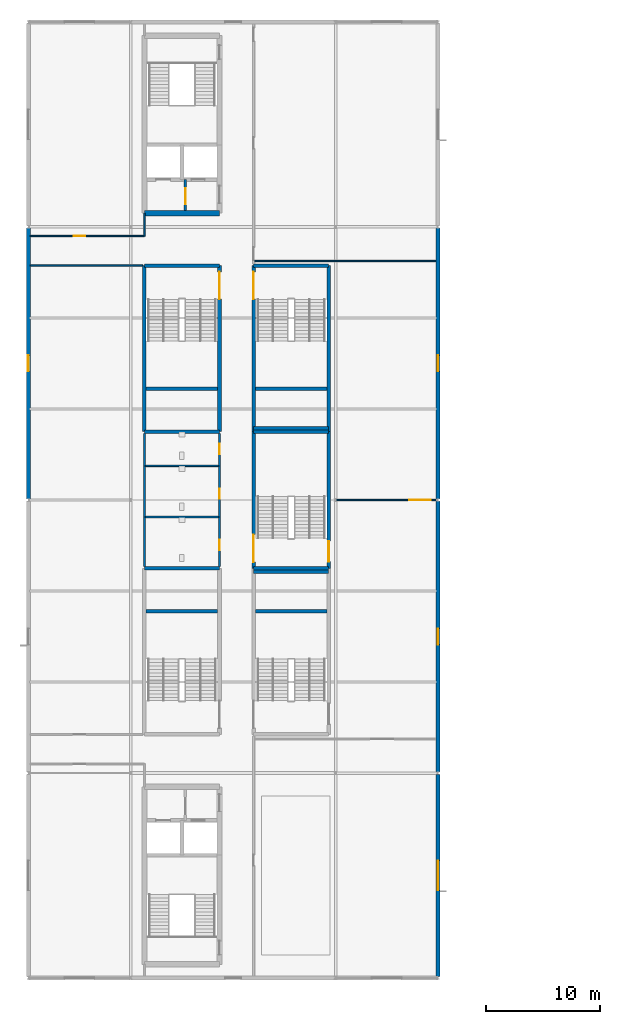
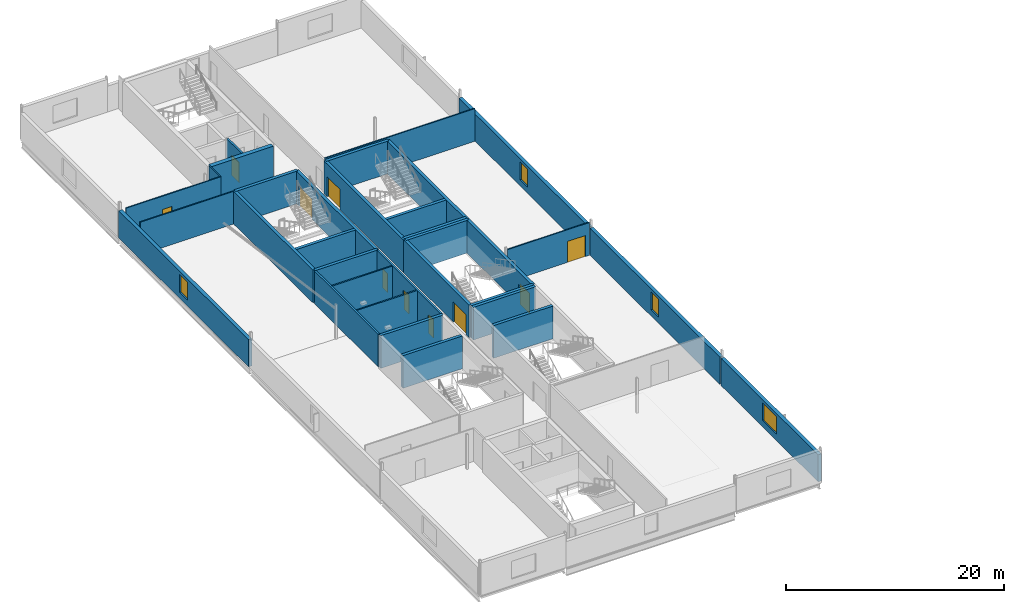
# One storey, part 20 of 35: 33 walls, 10 doors, 4 windows, 14 openings.
"""IFC4 building model written with IfcOpenShell, lengths in metres."""

from ifc_helpers import new_model, si_unit, direction, frame, frame_2d, origin, place, context, subcontext, project, spatial, rectangle, extrude, material, layer, layer_set, type_object, element, fill, save


model = new_model("IFC4")

# Units and contexts
model_context = context("Model", 3, precision=1e-05, world=origin(), true_north=direction((0.0, 1.0)))
body_context = subcontext(model_context, "Body", "Model", "MODEL_VIEW")
ifc_project = project(units=[si_unit("LENGTHUNIT", "METRE"), si_unit("AREAUNIT", "SQUARE_METRE"), si_unit("VOLUMEUNIT", "CUBIC_METRE"), si_unit("PLANEANGLEUNIT", "RADIAN"), si_unit("MASSUNIT", "GRAM", prefix="KILO")], contexts=[model_context])

# Site, building, storey
site_placement = place(None, origin())
site = spatial("IfcSite", under=ifc_project, at=site_placement, CompositionType="ELEMENT")
building_placement = place(site_placement, origin())
building = spatial("IfcBuilding", under=site, at=building_placement, Name="Kisiwana Market Hall", CompositionType="ELEMENT")
storey_placement = place(building_placement, frame((0.0, 0.0, 61.800048828125)))
storey = spatial("IfcBuildingStorey", under=building, at=storey_placement, Name="L14", CompositionType="ELEMENT", Elevation=61.800048828125)

# Wall, opening, door
ifc_material_1 = material(Name="Masonry blockwork", Category="masonry")
ifc_layer_1 = layer(ifc_material_1, 0.199951171875, Name="Plastered fire compartment block wall")
ifc_layer_set_1 = layer_set([ifc_layer_1], Name="WL-COMP-200")
wall_type_1 = type_object("IfcWallType", Name="WL-COMP-200", PredefinedType="PARTITIONING", material=ifc_layer_set_1)
wall_1_placement = place(storey_placement, frame((13.800048828125, 85.425048828125, 0.0), z_axis=(0.0, 0.0, 1.0), x_axis=(0.0, 1.0, 0.0)))
wall_1 = element("IfcWall", 1, at=wall_1_placement, inside=storey, type_object=wall_type_1, Name="Core W1 firefighting lobby wall W-3312", PredefinedType="PARTITIONING", context=body_context, shape_type="SweptSolid", body=[
    extrude(rectangle(XDim=2.72998046875, YDim=0.199951171875, at=frame_2d((1.364990234375, 0.0))), origin(), (0.0, 0.0, 1.0), 3.655029296875),
])
opening_1_placement = place(wall_1_placement, frame((0.550048828125, 0.0, 0.0)))
opening_1 = element("IfcOpeningElement", 2, at=opening_1_placement, cuts=wall_1, Name="Opening DR-L14-006", PredefinedType="OPENING", context=body_context, shape_type="SweptSolid", body=[
    extrude(rectangle(XDim=1.39990234375, YDim=2.25, at=frame_2d((0.699951171875, 1.125))), frame((0.0, 0.11181640625, 0.0), z_axis=(0.0, -1.0, 0.0), x_axis=(1.0, 0.0, 0.0)), (0.0, 0.0, 1.0), 0.223876953125),
])
ifc_material_2 = material(Name="Steel S275", Category="steel")
door_type_1 = type_object("IfcDoorType", Name="DR-FFLOB-FD120-1400", OperationType="DOUBLE_DOOR_SINGLE_SWING", PredefinedType="DOOR", material=ifc_material_2)
door_1_placement = place(opening_1_placement, frame((1.39990234375, 0.0, 0.0), z_axis=(0.0, 0.0, 1.0), x_axis=(-1.0, 0.0, 0.0)))
door_1 = element("IfcDoor", 3, at=door_1_placement, inside=storey, type_object=door_type_1, Name="Firefighting Lift Lobby W1 Door (L14)", OperationType="DOUBLE_DOOR_SINGLE_SWING", OverallHeight=2.25, OverallWidth=1.39990234375, PredefinedType="DOOR", context=body_context, shape_type="SweptSolid", body=[
    extrude(rectangle(XDim=1.39990234375, YDim=2.25, at=frame_2d((0.699951171875, 1.125))), frame((0.0, 0.02490234375, 0.0), z_axis=(0.0, -1.0, 0.0), x_axis=(1.0, 0.0, 0.0)), (0.0, 0.0, 1.0), 0.050048828125),
])
fill(opening_1, door_1)

# Wall
wall_2_placement = place(storey_placement, frame((10.199951171875, 54.159912109375, 0.0), z_axis=(0.0, 0.0, 1.0), x_axis=(0.0, 1.0, 0.0)))
element("IfcWall", 4, at=wall_2_placement, inside=storey, type_object=wall_type_1, Name="Interior partition W-3315", PredefinedType="PARTITIONING", context=body_context, shape_type="SweptSolid", body=[
    extrude(rectangle(XDim=11.68017578125, YDim=0.199951171875, at=frame_2d((5.840087890625, 0.0))), origin(), (0.0, 0.0, 1.0), 3.655029296875),
])

# Wall, openings, doors
wall_3_placement = place(storey_placement, frame((16.800048828125, 54.159912109375, 0.0), z_axis=(0.0, 0.0, 1.0), x_axis=(0.0, 1.0, 0.0)))
wall_3 = element("IfcWall", 5, at=wall_3_placement, inside=storey, type_object=wall_type_1, Name="Interior partition W-3316", PredefinedType="PARTITIONING", context=body_context, shape_type="SweptSolid", body=[
    extrude(rectangle(XDim=11.68017578125, YDim=0.199951171875, at=frame_2d((5.840087890625, 0.0))), origin(), (0.0, 0.0, 1.0), 3.655029296875),
])
opening_2_placement = place(wall_3_placement, frame((1.43994140625, 0.0, 0.0)))
opening_2 = element("IfcOpeningElement", 6, at=opening_2_placement, cuts=wall_3, Name="Opening DR-L14-027", PredefinedType="OPENING", context=body_context, shape_type="SweptSolid", body=[
    extrude(rectangle(XDim=0.89990234375, YDim=2.10009765625, at=frame_2d((0.449951171875, 1.050048828125))), frame((0.0, 0.11181640625, 0.0), z_axis=(0.0, -1.0, 0.0), x_axis=(1.0, 0.0, 0.0)), (0.0, 0.0, 1.0), 0.223876953125),
])
opening_3_placement = place(wall_3_placement, frame((5.93994140625, 0.0, 0.0)))
opening_3 = element("IfcOpeningElement", 7, at=opening_3_placement, cuts=wall_3, Name="Opening DR-L14-028", PredefinedType="OPENING", context=body_context, shape_type="SweptSolid", body=[
    extrude(rectangle(XDim=0.89990234375, YDim=2.10009765625, at=frame_2d((0.449951171875, 1.050048828125))), frame((0.0, 0.11181640625, 0.0), z_axis=(0.0, -1.0, 0.0), x_axis=(1.0, 0.0, 0.0)), (0.0, 0.0, 1.0), 0.223876953125),
])
opening_4_placement = place(wall_3_placement, frame((9.840087890625, 0.0, 0.0)))
opening_4 = element("IfcOpeningElement", 8, at=opening_4_placement, cuts=wall_3, Name="Opening DR-L14-029", PredefinedType="OPENING", context=body_context, shape_type="SweptSolid", body=[
    extrude(rectangle(XDim=0.949951171875, YDim=2.10009765625, at=frame_2d((0.47509765625, 1.050048828125))), frame((0.0, 0.11181640625, 0.0), z_axis=(0.0, -1.0, 0.0), x_axis=(1.0, 0.0, 0.0)), (0.0, 0.0, 1.0), 0.223876953125),
])
ifc_material_3 = material(Name="Aluminium alloy 6063-T6", Category="aluminium")
door_type_2 = type_object("IfcDoorType", Name="DR-WC-ACC-950", OperationType="NOTDEFINED", PredefinedType="DOOR", material=ifc_material_3)
door_2_placement = place(opening_4_placement, origin())
door_2 = element("IfcDoor", 9, at=door_2_placement, inside=storey, type_object=door_type_2, Name="L14 W Accessible WC Door", OperationType="SINGLE_SWING_RIGHT", OverallHeight=2.10009765625, OverallWidth=0.949951171875, PredefinedType="DOOR", context=body_context, shape_type="SweptSolid", body=[
    extrude(rectangle(XDim=0.949951171875, YDim=2.10009765625, at=frame_2d((0.47509765625, 1.050048828125))), frame((0.0, 0.02490234375, 0.0), z_axis=(0.0, -1.0, 0.0), x_axis=(1.0, 0.0, 0.0)), (0.0, 0.0, 1.0), 0.050048828125),
])
fill(opening_4, door_2)
ifc_material_4 = material(Name="Aluminium alloy 6063-T6", Category="aluminium")
door_type_3 = type_object("IfcDoorType", Name="DR-WC-STD-900", OperationType="NOTDEFINED", PredefinedType="DOOR", material=ifc_material_4)
door_3_placement = place(opening_2_placement, origin())
door_3 = element("IfcDoor", 10, at=door_3_placement, inside=storey, type_object=door_type_3, Name="L14 W Male Toilet Door", OperationType="SINGLE_SWING_LEFT", OverallHeight=2.10009765625, OverallWidth=0.89990234375, PredefinedType="DOOR", context=body_context, shape_type="SweptSolid", body=[
    extrude(rectangle(XDim=0.89990234375, YDim=2.10009765625, at=frame_2d((0.449951171875, 1.050048828125))), frame((0.0, 0.02490234375, 0.0), z_axis=(0.0, -1.0, 0.0), x_axis=(1.0, 0.0, 0.0)), (0.0, 0.0, 1.0), 0.050048828125),
])
fill(opening_2, door_3)
door_4_placement = place(opening_3_placement, origin())
door_4 = element("IfcDoor", 11, at=door_4_placement, inside=storey, type_object=door_type_3, Name="L14 W Female Toilet Door", OperationType="SINGLE_SWING_RIGHT", OverallHeight=2.10009765625, OverallWidth=0.89990234375, PredefinedType="DOOR", context=body_context, shape_type="SweptSolid", body=[
    extrude(rectangle(XDim=0.89990234375, YDim=2.10009765625, at=frame_2d((0.449951171875, 1.050048828125))), frame((0.0, 0.02490234375, 0.0), z_axis=(0.0, -1.0, 0.0), x_axis=(1.0, 0.0, 0.0)), (0.0, 0.0, 1.0), 0.050048828125),
])
fill(opening_3, door_4)

# Walls
ifc_material_5 = material(Name="Concrete C40/50", Category="concrete")
ifc_layer_2 = layer(ifc_material_5, 0.320068359375, Name="Reinforced concrete shaft wall")
ifc_layer_set_2 = layer_set([ifc_layer_2], Name="WL-CORE-320")
wall_type_2 = type_object("IfcWallType", Name="WL-CORE-320", PredefinedType="SHEAR", material=ifc_layer_set_2)
wall_4_placement = place(storey_placement, frame((10.199951171875, 54.0, 0.0), z_axis=(0.0, 0.0, 1.0), x_axis=(1.0, 0.0, 0.0)))
element("IfcWall", 12, at=wall_4_placement, inside=storey, type_object=wall_type_2, Name="Core W3 north shear wall W-3236", PredefinedType="SHEAR", context=body_context, shape_type="SweptSolid", body=[
    extrude(rectangle(XDim=6.60009765625, YDim=0.320068359375, at=frame_2d((3.300048828125, 0.0))), origin(), (0.0, 0.0, 1.0), 3.655029296875),
])
wall_5_placement = place(storey_placement, frame((10.360107421875, 50.219970703125, 0.0), z_axis=(0.0, 0.0, 1.0), x_axis=(1.0, 0.0, 0.0)))
element("IfcWall", 13, at=wall_5_placement, inside=storey, type_object=wall_type_2, Name="Core W3 riser divider shear wall W-3239", PredefinedType="SHEAR", context=body_context, shape_type="SweptSolid", body=[
    extrude(rectangle(XDim=6.27978515625, YDim=0.320068359375, at=frame_2d((3.139892578125, 0.0))), origin(), (0.0, 0.0, 1.0), 3.655029296875),
])
for number, where, z_axis, x_axis, name in (
    (14, (10.199951171875, 66.0, 0.0), (0.0, 0.0, 1.0), (1.0, 0.0, 0.0), "Core W4 south shear wall W-3240"),
    (15, (10.199951171875, 80.60009765625, 0.0), (0.0, 0.0, 1.0), (1.0, 0.0, 0.0), "Core W4 north shear wall W-3241"),
):
    element("IfcWall", number, at=place(storey_placement, frame(where, z_axis=z_axis, x_axis=x_axis)), inside=storey, type_object=wall_type_2, Name=name, PredefinedType="SHEAR", context=body_context, shape_type="SweptSolid", body=[
        extrude(rectangle(XDim=6.60009765625, YDim=0.320068359375, at=frame_2d((3.300048828125, 0.0))), origin(), (0.0, 0.0, 1.0), 3.655029296875),
    ])
wall_6_placement = place(storey_placement, frame((10.199951171875, 66.0, 0.0), z_axis=(0.0, 0.0, 1.0), x_axis=(0.0, 1.0, 0.0)))
element("IfcWall", 16, at=wall_6_placement, inside=storey, type_object=wall_type_2, Name="Core W4 outer shear wall W-3242", PredefinedType="SHEAR", context=body_context, shape_type="SweptSolid", body=[
    extrude(rectangle(XDim=14.60009765625, YDim=0.320068359375, at=frame_2d((7.300048828125, 0.0))), origin(), (0.0, 0.0, 1.0), 3.655029296875),
])

# Wall, opening, door
wall_7_placement = place(storey_placement, frame((16.800048828125, 66.0, 0.0), z_axis=(0.0, 0.0, 1.0), x_axis=(0.0, 1.0, 0.0)))
wall_7 = element("IfcWall", 17, at=wall_7_placement, inside=storey, type_object=wall_type_2, Name="Core W4 corridor shear wall W-3243", PredefinedType="SHEAR", context=body_context, shape_type="SweptSolid", body=[
    extrude(rectangle(XDim=14.60009765625, YDim=0.320068359375, at=frame_2d((7.300048828125, 0.0))), origin(), (0.0, 0.0, 1.0), 3.655029296875),
])
opening_5_placement = place(wall_7_placement, frame((11.64990234375, 0.0, 0.0)))
opening_5 = element("IfcOpeningElement", 18, at=opening_5_placement, cuts=wall_7, Name="Opening DR-L14-014", PredefinedType="OPENING", context=body_context, shape_type="SweptSolid", body=[
    extrude(rectangle(XDim=2.39990234375, YDim=2.25, at=frame_2d((1.199951171875, 1.125))), frame((0.0, 0.171875, 0.0), z_axis=(0.0, -1.0, 0.0), x_axis=(1.0, 0.0, 0.0)), (0.0, 0.0, 1.0), 0.343994140625),
])
ifc_material_6 = material(Name="Steel S275", Category="steel")
door_type_4 = type_object("IfcDoorType", Name="DR-STAIR-FD120-2400", OperationType="DOUBLE_DOOR_SINGLE_SWING", PredefinedType="DOOR", material=ifc_material_6)
door_5_placement = place(opening_5_placement, origin())
door_5 = element("IfcDoor", 19, at=door_5_placement, inside=storey, type_object=door_type_4, Name="Escape Stair W4 Fire Door (L14)", OperationType="DOUBLE_DOOR_SINGLE_SWING", OverallHeight=2.25, OverallWidth=2.39990234375, PredefinedType="DOOR", context=body_context, shape_type="SweptSolid", body=[
    extrude(rectangle(XDim=2.39990234375, YDim=2.25, at=frame_2d((1.199951171875, 1.125))), frame((0.0, 0.02490234375, 0.0), z_axis=(0.0, -1.0, 0.0), x_axis=(1.0, 0.0, 0.0)), (0.0, 0.0, 1.0), 0.050048828125),
])
fill(opening_5, door_5)

# Walls
wall_8_placement = place(storey_placement, frame((10.360107421875, 69.780029296875, 0.0), z_axis=(0.0, 0.0, 1.0), x_axis=(1.0, 0.0, 0.0)))
element("IfcWall", 20, at=wall_8_placement, inside=storey, type_object=wall_type_2, Name="Core W4 riser divider shear wall W-3244", PredefinedType="SHEAR", context=body_context, shape_type="SweptSolid", body=[
    extrude(rectangle(XDim=6.27978515625, YDim=0.320068359375, at=frame_2d((3.139892578125, 0.0))), origin(), (0.0, 0.0, 1.0), 3.655029296875),
])
wall_9_placement = place(storey_placement, frame((19.800048828125, 54.0, 0.0), z_axis=(0.0, 0.0, 1.0), x_axis=(1.0, 0.0, 0.0)))
element("IfcWall", 21, at=wall_9_placement, inside=storey, type_object=wall_type_2, Name="Core W7 north shear wall W-3256", PredefinedType="SHEAR", context=body_context, shape_type="SweptSolid", body=[
    extrude(rectangle(XDim=6.599853515625, YDim=0.320068359375, at=frame_2d((3.2998046875, 0.0))), origin(), (0.0, 0.0, 1.0), 3.655029296875),
])
wall_10_placement = place(storey_placement, frame((19.9599609375, 50.219970703125, 0.0), z_axis=(0.0, 0.0, 1.0), x_axis=(1.0, 0.0, 0.0)))
element("IfcWall", 22, at=wall_10_placement, inside=storey, type_object=wall_type_2, Name="Core W7 riser divider shear wall W-3259", PredefinedType="SHEAR", context=body_context, shape_type="SweptSolid", body=[
    extrude(rectangle(XDim=6.280029296875, YDim=0.320068359375, at=frame_2d((3.14013671875, 0.0))), origin(), (0.0, 0.0, 1.0), 3.655029296875),
])
for number, where, z_axis, x_axis, name in (
    (23, (19.800048828125, 66.0, 0.0), (0.0, 0.0, 1.0), (1.0, 0.0, 0.0), "Core W8 south shear wall W-3265"),
    (24, (19.800048828125, 80.60009765625, 0.0), (0.0, 0.0, 1.0), (1.0, 0.0, 0.0), "Core W8 north shear wall W-3266"),
):
    element("IfcWall", number, at=place(storey_placement, frame(where, z_axis=z_axis, x_axis=x_axis)), inside=storey, type_object=wall_type_2, Name=name, PredefinedType="SHEAR", context=body_context, shape_type="SweptSolid", body=[
        extrude(rectangle(XDim=6.599853515625, YDim=0.320068359375, at=frame_2d((3.2998046875, 0.0))), origin(), (0.0, 0.0, 1.0), 3.655029296875),
    ])

# Wall, opening, door
wall_11_placement = place(storey_placement, frame((19.800048828125, 66.0, 0.0), z_axis=(0.0, 0.0, 1.0), x_axis=(0.0, 1.0, 0.0)))
wall_11 = element("IfcWall", 25, at=wall_11_placement, inside=storey, type_object=wall_type_2, Name="Core W8 corridor shear wall W-3267", PredefinedType="SHEAR", context=body_context, shape_type="SweptSolid", body=[
    extrude(rectangle(XDim=14.60009765625, YDim=0.320068359375, at=frame_2d((7.300048828125, 0.0))), origin(), (0.0, 0.0, 1.0), 3.655029296875),
])
opening_6_placement = place(wall_11_placement, frame((11.64990234375, 0.0, 0.0)))
opening_6 = element("IfcOpeningElement", 26, at=opening_6_placement, cuts=wall_11, Name="Opening DR-L14-021", PredefinedType="OPENING", context=body_context, shape_type="SweptSolid", body=[
    extrude(rectangle(XDim=2.39990234375, YDim=2.25, at=frame_2d((1.199951171875, 1.125))), frame((0.0, 0.171875, 0.0), z_axis=(0.0, -1.0, 0.0), x_axis=(1.0, 0.0, 0.0)), (0.0, 0.0, 1.0), 0.343994140625),
])
door_6_placement = place(opening_6_placement, frame((2.39990234375, 0.0, 0.0), z_axis=(0.0, 0.0, 1.0), x_axis=(-1.0, 0.0, 0.0)))
door_6 = element("IfcDoor", 27, at=door_6_placement, inside=storey, type_object=door_type_4, Name="Escape Stair W8 Fire Door (L14)", OperationType="DOUBLE_DOOR_SINGLE_SWING", OverallHeight=2.25, OverallWidth=2.39990234375, PredefinedType="DOOR", context=body_context, shape_type="SweptSolid", body=[
    extrude(rectangle(XDim=2.39990234375, YDim=2.25, at=frame_2d((1.199951171875, 1.125))), frame((0.0, 0.02490234375, 0.0), z_axis=(0.0, -1.0, 0.0), x_axis=(1.0, 0.0, 0.0)), (0.0, 0.0, 1.0), 0.050048828125),
])
fill(opening_6, door_6)

# Walls
wall_12_placement = place(storey_placement, frame((26.39990234375, 66.0, 0.0), z_axis=(0.0, 0.0, 1.0), x_axis=(0.0, 1.0, 0.0)))
element("IfcWall", 28, at=wall_12_placement, inside=storey, type_object=wall_type_2, Name="Core W8 outer shear wall W-3268", PredefinedType="SHEAR", context=body_context, shape_type="SweptSolid", body=[
    extrude(rectangle(XDim=14.60009765625, YDim=0.320068359375, at=frame_2d((7.300048828125, 0.0))), origin(), (0.0, 0.0, 1.0), 3.655029296875),
])
wall_13_placement = place(storey_placement, frame((19.9599609375, 69.780029296875, 0.0), z_axis=(0.0, 0.0, 1.0), x_axis=(1.0, 0.0, 0.0)))
element("IfcWall", 29, at=wall_13_placement, inside=storey, type_object=wall_type_2, Name="Core W8 riser divider shear wall W-3269", PredefinedType="SHEAR", context=body_context, shape_type="SweptSolid", body=[
    extrude(rectangle(XDim=6.280029296875, YDim=0.320068359375, at=frame_2d((3.14013671875, 0.0))), origin(), (0.0, 0.0, 1.0), 3.655029296875),
])
for number, where, z_axis, x_axis, name in (
    (30, (19.800048828125, 53.679931640625, 0.0), (0.0, 0.0, 1.0), (1.0, 0.0, 0.0), "Core W5 south shear wall W-3275"),
    (31, (19.800048828125, 66.320068359375, 0.0), (0.0, 0.0, 1.0), (1.0, 0.0, 0.0), "Core W5 north shear wall W-3276"),
):
    element("IfcWall", number, at=place(storey_placement, frame(where, z_axis=z_axis, x_axis=x_axis)), inside=storey, type_object=wall_type_2, Name=name, PredefinedType="SHEAR", context=body_context, shape_type="SweptSolid", body=[
        extrude(rectangle(XDim=6.599853515625, YDim=0.320068359375, at=frame_2d((3.2998046875, 0.0))), origin(), (0.0, 0.0, 1.0), 3.655029296875),
    ])

# Wall, opening, door
wall_14_placement = place(storey_placement, frame((19.800048828125, 54.0, 0.0), z_axis=(0.0, 0.0, 1.0), x_axis=(0.0, 1.0, 0.0)))
wall_14 = element("IfcWall", 32, at=wall_14_placement, inside=storey, type_object=wall_type_2, Name="Core W5 corridor shear wall W-3277", PredefinedType="SHEAR", context=body_context, shape_type="SweptSolid", body=[
    extrude(rectangle(XDim=12.0, YDim=0.320068359375, at=frame_2d((6.0, 0.0))), origin(), (0.0, 0.0, 1.0), 3.655029296875),
])
opening_7_placement = place(wall_14_placement, frame((0.550048828125, 0.0, 0.0)))
opening_7 = element("IfcOpeningElement", 33, at=opening_7_placement, cuts=wall_14, Name="Opening DR-L14-023", PredefinedType="OPENING", context=body_context, shape_type="SweptSolid", body=[
    extrude(rectangle(XDim=2.39990234375, YDim=2.25, at=frame_2d((1.199951171875, 1.125))), frame((0.0, 0.171875, 0.0), z_axis=(0.0, -1.0, 0.0), x_axis=(1.0, 0.0, 0.0)), (0.0, 0.0, 1.0), 0.343994140625),
])
door_7_placement = place(opening_7_placement, frame((2.39990234375, 0.0, 0.0), z_axis=(0.0, 0.0, 1.0), x_axis=(-1.0, 0.0, 0.0)))
door_7 = element("IfcDoor", 34, at=door_7_placement, inside=storey, type_object=door_type_4, Name="Escape Stair W5 Fire Door (L14)", OperationType="DOUBLE_DOOR_SINGLE_SWING", OverallHeight=2.25, OverallWidth=2.39990234375, PredefinedType="DOOR", context=body_context, shape_type="SweptSolid", body=[
    extrude(rectangle(XDim=2.39990234375, YDim=2.25, at=frame_2d((1.199951171875, 1.125))), frame((0.0, 0.02490234375, 0.0), z_axis=(0.0, -1.0, 0.0), x_axis=(1.0, 0.0, 0.0)), (0.0, 0.0, 1.0), 0.050048828125),
])
fill(opening_7, door_7)

wall_15_placement = place(storey_placement, frame((26.39990234375, 54.0, 0.0), z_axis=(0.0, 0.0, 1.0), x_axis=(0.0, 1.0, 0.0)))
wall_15 = element("IfcWall", 35, at=wall_15_placement, inside=storey, type_object=wall_type_2, Name="Core W5 outer shear wall W-3278", PredefinedType="SHEAR", context=body_context, shape_type="SweptSolid", body=[
    extrude(rectangle(XDim=12.0, YDim=0.320068359375, at=frame_2d((6.0, 0.0))), origin(), (0.0, 0.0, 1.0), 3.655029296875),
])
opening_8_placement = place(wall_15_placement, frame((0.580078125, 0.0, 0.0)))
opening_8 = element("IfcOpeningElement", 36, at=opening_8_placement, cuts=wall_15, Name="Opening DR-L14-024", PredefinedType="OPENING", context=body_context, shape_type="SweptSolid", body=[
    extrude(rectangle(XDim=1.800048828125, YDim=2.25, at=frame_2d((0.89990234375, 1.125))), frame((0.0, 0.171875, 0.0), z_axis=(0.0, -1.0, 0.0), x_axis=(1.0, 0.0, 0.0)), (0.0, 0.0, 1.0), 0.343994140625),
])
ifc_material_7 = material(Name="Steel S275", Category="steel")
door_type_5 = type_object("IfcDoorType", Name="DR-STAIR-FD120-1800", OperationType="DOUBLE_DOOR_SINGLE_SWING", PredefinedType="DOOR", material=ifc_material_7)
door_8_placement = place(opening_8_placement, origin())
door_8 = element("IfcDoor", 37, at=door_8_placement, inside=storey, type_object=door_type_5, Name="Escape Stair W5 Room Door (L14)", OperationType="DOUBLE_DOOR_SINGLE_SWING", OverallHeight=2.25, OverallWidth=1.800048828125, PredefinedType="DOOR", context=body_context, shape_type="SweptSolid", body=[
    extrude(rectangle(XDim=1.800048828125, YDim=2.25, at=frame_2d((0.89990234375, 1.125))), frame((0.0, 0.02490234375, 0.0), z_axis=(0.0, -1.0, 0.0), x_axis=(1.0, 0.0, 0.0)), (0.0, 0.0, 1.0), 0.050048828125),
])
fill(opening_8, door_8)

# Wall
ifc_material_8 = material(Name="Concrete C40/50", Category="concrete")
ifc_layer_3 = layer(ifc_material_8, 0.449951171875, Name="Reinforced concrete core wall")
ifc_layer_set_3 = layer_set([ifc_layer_3], Name="WL-CORE-450")
wall_type_3 = type_object("IfcWallType", Name="WL-CORE-450", PredefinedType="SHEAR", material=ifc_layer_set_3)
wall_16_placement = place(storey_placement, frame((10.199951171875, 85.199951171875, 0.0), z_axis=(0.0, 0.0, 1.0), x_axis=(1.0, 0.0, 0.0)))
element("IfcWall", 38, at=wall_16_placement, inside=storey, type_object=wall_type_3, Name="Core W1 south shear wall W-3208", PredefinedType="SHEAR", context=body_context, shape_type="SweptSolid", body=[
    extrude(rectangle(XDim=6.60009765625, YDim=0.449951171875, at=frame_2d((3.300048828125, 0.0))), origin(), (0.0, 0.0, 1.0), 3.655029296875),
])

# Wall, opening, window
ifc_material_9 = material(Name="Concrete C40/50 precast", Category="concrete")
ifc_layer_4 = layer(ifc_material_9, 0.364990234375)
ifc_layer_set_4 = layer_set([ifc_layer_4], Name="WL-EXT-365")
wall_type_4 = type_object("IfcWallType", Name="WL-EXT-365", PredefinedType="STANDARD", material=ifc_layer_set_4)
wall_17_placement = place(storey_placement, frame((0.0, 60.107666015625, 0.0), z_axis=(0.0, 0.0, 1.0), x_axis=(0.0, 1.0, 0.0)))
wall_17 = element("IfcWall", 39, at=wall_17_placement, inside=storey, type_object=wall_type_4, Name="Exterior wall W-3297", PredefinedType="STANDARD", context=body_context, shape_type="SweptSolid", body=[
    extrude(rectangle(XDim=23.78466796875, YDim=0.364990234375, at=frame_2d((11.892333984375, 0.0))), origin(), (0.0, 0.0, 1.0), 3.042724609375),
])
opening_9_placement = place(wall_17_placement, frame((11.1923828125, 0.0, 0.699951171875)))
opening_9 = element("IfcOpeningElement", 40, at=opening_9_placement, cuts=wall_17, Name="Opening WN-05", PredefinedType="OPENING", context=body_context, shape_type="SweptSolid", body=[
    extrude(rectangle(XDim=1.39990234375, YDim=2.0, at=frame_2d((0.699951171875, 1.0))), frame((0.0, 0.1943359375, 0.0), z_axis=(0.0, -1.0, 0.0), x_axis=(1.0, 0.0, 0.0)), (0.0, 0.0, 1.0), 0.388916015625),
])
ifc_material_10 = material(Name="Double-glazed solar-control low-E IGU", Category="glass")
window_type_1 = type_object("IfcWindowType", Name="WN-OFFC-1400x2000", PartitioningType="SINGLE_PANEL", PredefinedType="WINDOW", material=ifc_material_10)
window_1_placement = place(opening_9_placement, origin())
window_1 = element("IfcWindow", 41, at=window_1_placement, inside=storey, type_object=window_type_1, Name="Exterior window WN-387", OverallHeight=2.0, OverallWidth=1.39990234375, PartitioningType="SINGLE_PANEL", PredefinedType="WINDOW", context=body_context, shape_type="SweptSolid", body=[
    extrude(rectangle(XDim=1.39990234375, YDim=2.0, at=frame_2d((0.699951171875, 1.0))), frame((0.0, 0.030029296875, 0.0), z_axis=(0.0, -1.0, 0.0), x_axis=(1.0, 0.0, 0.0)), (0.0, 0.0, 1.0), 0.06005859375),
])
fill(opening_9, window_1)

wall_18_placement = place(storey_placement, frame((36.0, 18.107666015625, 0.0), z_axis=(0.0, 0.0, 1.0), x_axis=(0.0, 1.0, 0.0)))
wall_18 = element("IfcWall", 42, at=wall_18_placement, inside=storey, type_object=wall_type_4, Name="Exterior wall W-3299", PredefinedType="STANDARD", context=body_context, shape_type="SweptSolid", body=[
    extrude(rectangle(XDim=17.78466796875, YDim=0.364990234375, at=frame_2d((8.892333984375, 0.0))), origin(), (0.0, 0.0, 1.0), 3.02978515625),
])
opening_10_placement = place(wall_18_placement, frame((7.59228515625, 0.0, 0.699951171875)))
opening_10 = element("IfcOpeningElement", 43, at=opening_10_placement, cuts=wall_18, Name="Opening WN-13", PredefinedType="OPENING", context=body_context, shape_type="SweptSolid", body=[
    extrude(rectangle(XDim=2.60009765625, YDim=2.0, at=frame_2d((1.300048828125, 1.0))), frame((0.0, 0.1943359375, 0.0), z_axis=(0.0, -1.0, 0.0), x_axis=(1.0, 0.0, 0.0)), (0.0, 0.0, 1.0), 0.388916015625),
])
ifc_material_11 = material(Name="Double-glazed solar-control low-E IGU", Category="glass")
window_type_2 = type_object("IfcWindowType", Name="WN-OFFC-2600x2000", PartitioningType="SINGLE_PANEL", PredefinedType="WINDOW", material=ifc_material_11)
window_2_placement = place(opening_10_placement, origin())
window_2 = element("IfcWindow", 44, at=window_2_placement, inside=storey, type_object=window_type_2, Name="Exterior window WN-404", OverallHeight=2.0, OverallWidth=2.60009765625, PartitioningType="SINGLE_PANEL", PredefinedType="WINDOW", context=body_context, shape_type="SweptSolid", body=[
    extrude(rectangle(XDim=2.60009765625, YDim=2.0, at=frame_2d((1.300048828125, 1.0))), frame((0.0, 0.030029296875, 0.0), z_axis=(0.0, -1.0, 0.0), x_axis=(1.0, 0.0, 0.0)), (0.0, 0.0, 1.0), 0.06005859375),
])
fill(opening_10, window_2)

wall_19_placement = place(storey_placement, frame((36.0, 36.107666015625, 0.0), z_axis=(0.0, 0.0, 1.0), x_axis=(0.0, 1.0, 0.0)))
wall_19 = element("IfcWall", 45, at=wall_19_placement, inside=storey, type_object=wall_type_4, Name="Exterior wall W-3300", PredefinedType="STANDARD", context=body_context, shape_type="SweptSolid", body=[
    extrude(rectangle(XDim=23.78466796875, YDim=0.364990234375, at=frame_2d((11.892333984375, 0.0))), origin(), (0.0, 0.0, 1.0), 3.02978515625),
])
opening_11_placement = place(wall_19_placement, frame((11.1923828125, 0.0, 0.699951171875)))
opening_11 = element("IfcOpeningElement", 46, at=opening_11_placement, cuts=wall_19, Name="Opening WN-05", PredefinedType="OPENING", context=body_context, shape_type="SweptSolid", body=[
    extrude(rectangle(XDim=1.39990234375, YDim=2.0, at=frame_2d((0.699951171875, 1.0))), frame((0.0, 0.1943359375, 0.0), z_axis=(0.0, -1.0, 0.0), x_axis=(1.0, 0.0, 0.0)), (0.0, 0.0, 1.0), 0.388916015625),
])
window_3_placement = place(opening_11_placement, origin())
window_3 = element("IfcWindow", 47, at=window_3_placement, inside=storey, type_object=window_type_1, Name="Exterior window WN-388", OverallHeight=2.0, OverallWidth=1.39990234375, PartitioningType="SINGLE_PANEL", PredefinedType="WINDOW", context=body_context, shape_type="SweptSolid", body=[
    extrude(rectangle(XDim=1.39990234375, YDim=2.0, at=frame_2d((0.699951171875, 1.0))), frame((0.0, 0.030029296875, 0.0), z_axis=(0.0, -1.0, 0.0), x_axis=(1.0, 0.0, 0.0)), (0.0, 0.0, 1.0), 0.06005859375),
])
fill(opening_11, window_3)

wall_20_placement = place(storey_placement, frame((36.0, 60.107666015625, 0.0), z_axis=(0.0, 0.0, 1.0), x_axis=(0.0, 1.0, 0.0)))
wall_20 = element("IfcWall", 48, at=wall_20_placement, inside=storey, type_object=wall_type_4, Name="Exterior wall W-3301", PredefinedType="STANDARD", context=body_context, shape_type="SweptSolid", body=[
    extrude(rectangle(XDim=23.78466796875, YDim=0.364990234375, at=frame_2d((11.892333984375, 0.0))), origin(), (0.0, 0.0, 1.0), 3.02978515625),
])
opening_12_placement = place(wall_20_placement, frame((11.1923828125, 0.0, 0.699951171875)))
opening_12 = element("IfcOpeningElement", 49, at=opening_12_placement, cuts=wall_20, Name="Opening WN-05", PredefinedType="OPENING", context=body_context, shape_type="SweptSolid", body=[
    extrude(rectangle(XDim=1.39990234375, YDim=2.0, at=frame_2d((0.699951171875, 1.0))), frame((0.0, 0.1943359375, 0.0), z_axis=(0.0, -1.0, 0.0), x_axis=(1.0, 0.0, 0.0)), (0.0, 0.0, 1.0), 0.388916015625),
])
window_4_placement = place(opening_12_placement, origin())
window_4 = element("IfcWindow", 50, at=window_4_placement, inside=storey, type_object=window_type_1, Name="Exterior window WN-389", OverallHeight=2.0, OverallWidth=1.39990234375, PartitioningType="SINGLE_PANEL", PredefinedType="WINDOW", context=body_context, shape_type="SweptSolid", body=[
    extrude(rectangle(XDim=1.39990234375, YDim=2.0, at=frame_2d((0.699951171875, 1.0))), frame((0.0, 0.030029296875, 0.0), z_axis=(0.0, -1.0, 0.0), x_axis=(1.0, 0.0, 0.0)), (0.0, 0.0, 1.0), 0.06005859375),
])
fill(opening_12, window_4)

# Walls
ifc_material_12 = material(Name="Gypsum plasterboard")
ifc_layer_5 = layer(ifc_material_12, 0.125, Name="Double gypsum board + acoustic stud")
ifc_layer_set_5 = layer_set([ifc_layer_5], Name="WL-OFF-125")
wall_type_5 = type_object("IfcWallType", Name="WL-OFF-125", PredefinedType="PARTITIONING", material=ifc_layer_set_5)
wall_21_placement = place(storey_placement, frame((10.199951171875, 83.199951171875, 0.0), z_axis=(0.0, 0.0, 1.0), x_axis=(0.0, 1.0, 0.0)))
element("IfcWall", 51, at=wall_21_placement, inside=storey, type_object=wall_type_5, Name="Interior partition W-3320", PredefinedType="PARTITIONING", context=body_context, shape_type="SweptSolid", body=[
    extrude(rectangle(XDim=2.0, YDim=0.125, at=frame_2d((1.0, 0.0))), origin(), (0.0, 0.0, 1.0), 3.655029296875),
])
wall_22_placement = place(storey_placement, frame((0.1826171875, 80.60009765625, 0.0), z_axis=(0.0, 0.0, 1.0), x_axis=(1.0, 0.0, 0.0)))
element("IfcWall", 52, at=wall_22_placement, inside=storey, type_object=wall_type_5, Name="Interior partition W-3325", PredefinedType="PARTITIONING", context=body_context, shape_type="SweptSolid", body=[
    extrude(rectangle(XDim=9.857421875, YDim=0.125, at=frame_2d((4.9287109375, 0.0))), origin(), (0.0, 0.0, 1.0), 3.655029296875),
])

# Wall, opening, door
wall_23_placement = place(storey_placement, frame((0.1826171875, 83.199951171875, 0.0), z_axis=(0.0, 0.0, 1.0), x_axis=(1.0, 0.0, 0.0)))
wall_23 = element("IfcWall", 53, at=wall_23_placement, inside=storey, type_object=wall_type_5, Name="Interior partition W-3326", PredefinedType="PARTITIONING", context=body_context, shape_type="SweptSolid", body=[
    extrude(rectangle(XDim=10.017333984375, YDim=0.125, at=frame_2d((5.0087890625, 0.0))), origin(), (0.0, 0.0, 1.0), 3.655029296875),
])
opening_13_placement = place(wall_23_placement, frame((3.81689453125, 0.0, 0.0)))
opening_13 = element("IfcOpeningElement", 54, at=opening_13_placement, cuts=wall_23, Name="Opening DR-L14-032", PredefinedType="OPENING", context=body_context, shape_type="SweptSolid", body=[
    extrude(rectangle(XDim=1.0, YDim=2.14990234375, at=frame_2d((0.5, 1.074951171875))), frame((0.0, 0.074462890625, 0.0), z_axis=(0.0, -1.0, 0.0), x_axis=(1.0, 0.0, 0.0)), (0.0, 0.0, 1.0), 0.14892578125),
])
ifc_material_13 = material(Name="Aluminium alloy 6063-T6", Category="aluminium")
door_type_6 = type_object("IfcDoorType", Name="DR-OFF-1000", OperationType="NOTDEFINED", PredefinedType="DOOR", material=ifc_material_13)
door_9_placement = place(opening_13_placement, origin())
door_9 = element("IfcDoor", 55, at=door_9_placement, inside=storey, type_object=door_type_6, Name="L14 W Commercial Office North Door", OperationType="SINGLE_SWING_LEFT", OverallHeight=2.14990234375, OverallWidth=1.0, PredefinedType="DOOR", context=body_context, shape_type="SweptSolid", body=[
    extrude(rectangle(XDim=1.0, YDim=2.14990234375, at=frame_2d((0.5, 1.074951171875))), frame((0.0, 0.02490234375, 0.0), z_axis=(0.0, -1.0, 0.0), x_axis=(1.0, 0.0, 0.0)), (0.0, 0.0, 1.0), 0.050048828125),
])
fill(opening_13, door_9)

wall_24_placement = place(storey_placement, frame((27.104736328125, 60.0, 0.0), z_axis=(0.0, 0.0, 1.0), x_axis=(1.0, 0.0, 0.0)))
wall_24 = element("IfcWall", 56, at=wall_24_placement, inside=storey, type_object=wall_type_5, Name="Interior partition W-3328", PredefinedType="PARTITIONING", context=body_context, shape_type="SweptSolid", body=[
    extrude(rectangle(XDim=8.712646484375, YDim=0.125, at=frame_2d((4.3564453125, 0.0))), origin(), (0.0, 0.0, 1.0), 3.655029296875),
])
opening_14_placement = place(wall_24_placement, frame((6.35009765625, 0.0, 0.0)))
opening_14 = element("IfcOpeningElement", 57, at=opening_14_placement, cuts=wall_24, Name="Opening DR-L14-034", PredefinedType="OPENING", context=body_context, shape_type="SweptSolid", body=[
    extrude(rectangle(XDim=1.89990234375, YDim=2.35009765625, at=frame_2d((0.949951171875, 1.175048828125))), frame((0.0, 0.074462890625, 0.0), z_axis=(0.0, -1.0, 0.0), x_axis=(1.0, 0.0, 0.0)), (0.0, 0.0, 1.0), 0.14892578125),
])
ifc_material_14 = material(Name="Steel S275", Category="steel")
door_type_7 = type_object("IfcDoorType", Name="DR-HALL-1900", OperationType="DOUBLE_DOOR_SINGLE_SWING", PredefinedType="DOOR", material=ifc_material_14)
door_10_placement = place(opening_14_placement, origin())
door_10 = element("IfcDoor", 58, at=door_10_placement, inside=storey, type_object=door_type_7, Name="L14 W Director Boardroom C2 Exit Door", OperationType="DOUBLE_DOOR_SINGLE_SWING", OverallHeight=2.35009765625, OverallWidth=1.89990234375, PredefinedType="DOOR", context=body_context, shape_type="SweptSolid", body=[
    extrude(rectangle(XDim=1.89990234375, YDim=2.35009765625, at=frame_2d((0.949951171875, 1.175048828125))), frame((0.0, 0.02490234375, 0.0), z_axis=(0.0, -1.0, 0.0), x_axis=(1.0, 0.0, 0.0)), (0.0, 0.0, 1.0), 0.050048828125),
])
fill(opening_14, door_10)

# Walls
wall_25_placement = place(storey_placement, frame((19.885009765625, 81.0, 0.0), z_axis=(0.0, 0.0, 1.0), x_axis=(1.0, 0.0, 0.0)))
element("IfcWall", 59, at=wall_25_placement, inside=storey, type_object=wall_type_5, Name="Interior partition W-3329", PredefinedType="PARTITIONING", context=body_context, shape_type="SweptSolid", body=[
    extrude(rectangle(XDim=15.932373046875, YDim=0.125, at=frame_2d((7.96630859375, 0.0))), origin(), (0.0, 0.0, 1.0), 3.655029296875),
])
ifc_material_15 = material(Name="Masonry blockwork", Category="masonry")
ifc_layer_6 = layer(ifc_material_15, 0.14990234375, Name="Water-resistant sanitary block wall")
ifc_layer_set_6 = layer_set([ifc_layer_6], Name="WL-WET-150")
wall_type_6 = type_object("IfcWallType", Name="WL-WET-150", PredefinedType="PARTITIONING", material=ifc_layer_set_6)
for number, where, z_axis, x_axis, name in (
    (60, (10.284912109375, 58.5, 0.0), (0.0, 0.0, 1.0), (1.0, 0.0, 0.0), "Interior partition W-3317"),
    (61, (10.284912109375, 63.0, 0.0), (0.0, 0.0, 1.0), (1.0, 0.0, 0.0), "Interior partition W-3318"),
):
    element("IfcWall", number, at=place(storey_placement, frame(where, z_axis=z_axis, x_axis=x_axis)), inside=storey, type_object=wall_type_6, Name=name, PredefinedType="PARTITIONING", context=body_context, shape_type="SweptSolid", body=[
        extrude(rectangle(XDim=6.43017578125, YDim=0.14990234375, at=frame_2d((3.215087890625, 0.0))), origin(), (0.0, 0.0, 1.0), 3.655029296875),
    ])

save(model, "model.ifc")
